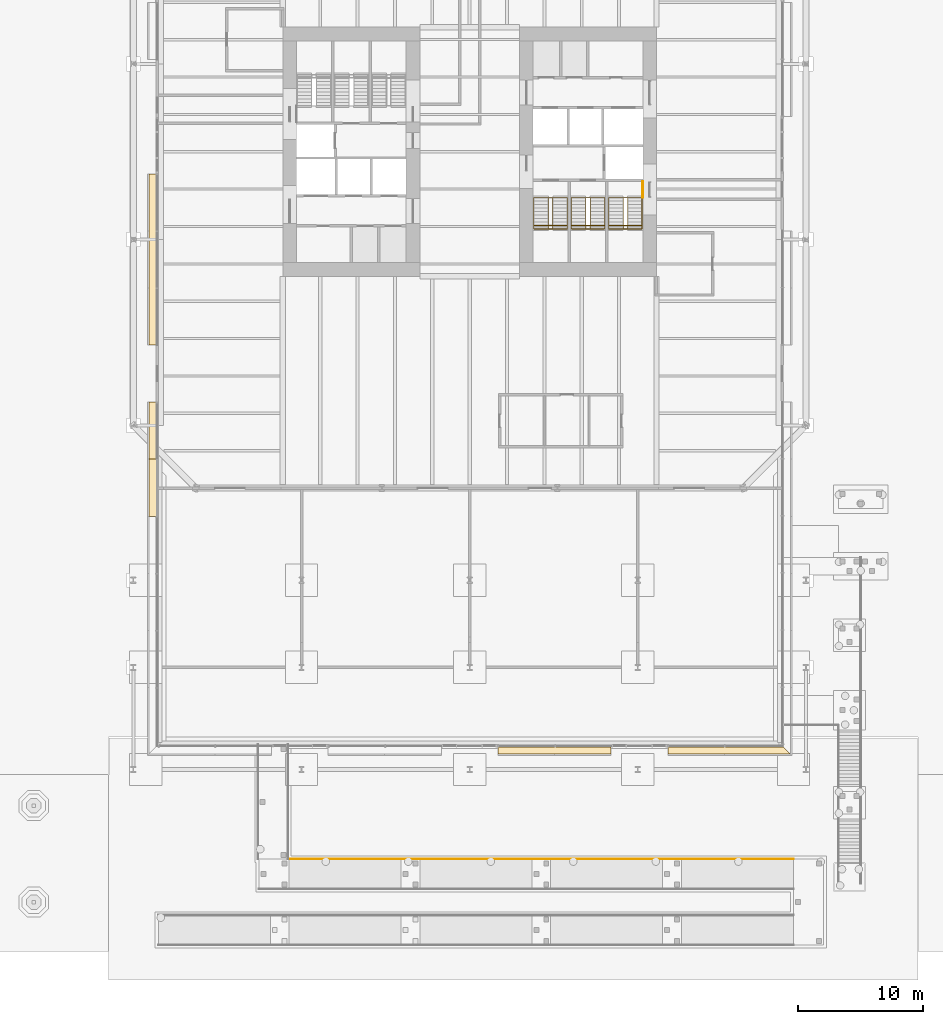
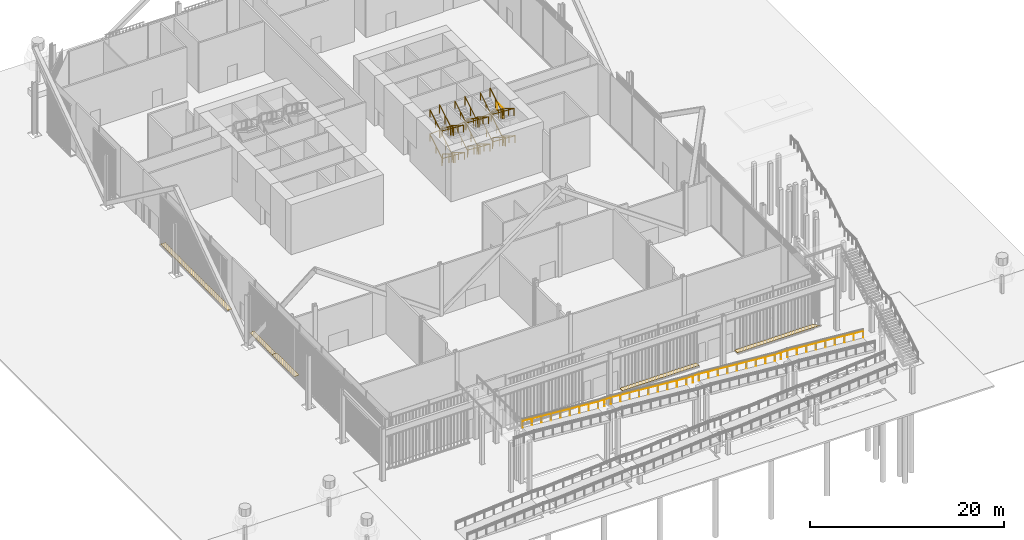
# One storey, part 23 of 28: 8 railings, 5 coverings.
"""IFC4 building model written with IfcOpenShell, lengths in metres."""

from ifc_helpers import new_model, si_unit, direction, frame, origin, origin_2d, place, context, subcontext, project, spatial, polyline, circle, outline, extrude, material, layer, layer_set, type_object, element, save


model = new_model("IFC4")

# Units and contexts
model_context = context("Model", 3, precision=1e-05, world=origin(), true_north=direction((0.0, 1.0)))
body_context = subcontext(model_context, "Body", "Model", "MODEL_VIEW")
ifc_project = project(units=[si_unit("LENGTHUNIT", "METRE"), si_unit("AREAUNIT", "SQUARE_METRE"), si_unit("VOLUMEUNIT", "CUBIC_METRE"), si_unit("PLANEANGLEUNIT", "RADIAN"), si_unit("MASSUNIT", "GRAM", prefix="KILO")], contexts=[model_context])

# Site, building, storey
site_placement = place(None, origin())
site = spatial("IfcSite", under=ifc_project, at=site_placement, CompositionType="ELEMENT")
building_placement = place(site_placement, origin())
building = spatial("IfcBuilding", under=site, at=building_placement, Name="Millrace Tower", CompositionType="ELEMENT")
storey_placement = place(building_placement, origin())
storey = spatial("IfcBuildingStorey", under=building, at=storey_placement, Name="L01", CompositionType="ELEMENT", Elevation=0.0)

# Coverings
ifc_material_1 = material(Name="Steel ASTM A36", Category="steel")
ifc_layer = layer(ifc_material_1, 0.050048828125)
ifc_layer_set = layer_set([ifc_layer], Name="Steel ASTM A36")
covering_type = type_object("IfcCoveringType", Name="CAVITY CATWALK steel grating", PredefinedType="FLOORING", material=ifc_layer_set)
placement = place(storey_placement, frame((0.0, 0.0, 0.10009765625)))
element("IfcCovering", 1, at=placement, inside=storey, type_object=covering_type, Name="Cavity catwalk grating AW1-F01 L01 3", PredefinedType="FLOORING", context=body_context, shape_type="SweptSolid", body=[
    extrude(outline(polyline([(2.272705078125, -48.35009765625), (11.363525390625, -48.35009765625), (11.363525390625, -47.800048828125), (2.272705078125, -47.800048828125), (2.272705078125, -48.35009765625)])), origin(), (0.0, 0.0, 1.0), 0.0498046875),
])
element("IfcCovering", 2, at=placement, inside=storey, type_object=covering_type, Name="Cavity catwalk grating AW1-F01 L01 4", PredefinedType="FLOORING", context=body_context, shape_type="SweptSolid", body=[
    extrude(outline(polyline([(15.9091796875, -48.35009765625), (25.75, -48.35009765625), (25.199951171875, -47.800048828125), (15.9091796875, -47.800048828125), (15.9091796875, -48.35009765625)])), origin(), (0.0, 0.0, 1.0), 0.0498046875),
])
element("IfcCovering", 3, at=placement, inside=storey, type_object=covering_type, Name="Cavity catwalk grating AW1-F06 L01 3", PredefinedType="FLOORING", context=body_context, shape_type="SweptSolid", body=[
    extrude(outline(polyline([(-25.75, -1.7666015625), (-25.75, -15.5166015625), (-25.199951171875, -15.5166015625), (-25.199951171875, -1.7666015625), (-25.75, -1.7666015625)])), origin(), (0.0, 0.0, 1.0), 0.0498046875),
])
element("IfcCovering", 4, at=placement, inside=storey, type_object=covering_type, Name="Cavity catwalk grating AW1-F06 L01 4", PredefinedType="FLOORING", context=body_context, shape_type="SweptSolid", body=[
    extrude(outline(polyline([(-25.75, -20.10009765625), (-25.75, -24.683349609375), (-25.199951171875, -24.683349609375), (-25.199951171875, -20.10009765625), (-25.75, -20.10009765625)])), origin(), (0.0, 0.0, 1.0), 0.0498046875),
])
element("IfcCovering", 5, at=placement, inside=storey, type_object=covering_type, Name="Cavity catwalk grating AW1-F06 L01 5", PredefinedType="FLOORING", context=body_context, shape_type="SweptSolid", body=[
    extrude(outline(polyline([(-25.75, -24.683349609375), (-25.75, -29.2666015625), (-25.14990234375, -29.2666015625), (-25.14990234375, -24.683349609375), (-25.75, -24.683349609375)])), origin(), (0.0, 0.0, 1.0), 0.0498046875),
])

# Railings
ifc_material_2 = material(Name="Stainless steel ASTM A240 type 316", Category="steel")
railing_type_1 = type_object("IfcRailingType", Name="Ramp handrail 900", PredefinedType="HANDRAIL", material=ifc_material_2)
railing_1_placement = place(storey_placement, frame((26.0, -56.800048828125, 3.611083984375)))
element("IfcRailing", 6, at=railing_1_placement, inside=storey, type_object=railing_type_1, Name="Ramp handrail row B N", PredefinedType="HANDRAIL", context=body_context, shape_type="SweptSolid", body=[
    extrude(circle(Radius=0.02392578125, at=origin_2d()), frame((0.0, 0.0, 0.8759765625), z_axis=(-0.996796163047, 0.0, 0.079983806703), x_axis=(0.0, -1.0, 0.0)), (0.0, 0.0, 1.0), 9.02880859375),
    extrude(circle(Radius=0.02392578125, at=origin_2d()), frame((-9.0, 0.0, 1.59814453125), z_axis=(-1.0, 0.0, 0.0), x_axis=(0.0, -1.0, 0.0)), (0.0, 0.0, 1.0), 1.5),
    extrude(circle(Radius=0.02392578125, at=origin_2d()), frame((-10.5, 0.0, 1.59814453125), z_axis=(-0.99679400687, 0.0, 0.080010673457), x_axis=(0.0, -1.0, 0.0)), (0.0, 0.0, 1.0), 9.029052734375),
    extrude(circle(Radius=0.02392578125, at=origin_2d()), frame((-19.5, 0.0, 2.3203125), z_axis=(-1.0, 0.0, 0.0), x_axis=(0.0, -1.0, 0.0)), (0.0, 0.0, 1.0), 1.5),
    extrude(circle(Radius=0.02392578125, at=origin_2d()), frame((-21.0, 0.0, 2.3203125), z_axis=(-0.996796163047, 0.0, 0.079983806703), x_axis=(0.0, -1.0, 0.0)), (0.0, 0.0, 1.0), 9.02880859375),
    extrude(circle(Radius=0.02392578125, at=origin_2d()), frame((-30.0, 0.0, 3.04248046875), z_axis=(-1.0, 0.0, 0.0), x_axis=(0.0, -1.0, 0.0)), (0.0, 0.0, 1.0), 1.5),
    extrude(circle(Radius=0.02392578125, at=origin_2d()), frame((-31.5, 0.0, 3.04248046875), z_axis=(-0.996796163047, 0.0, 0.079983806703), x_axis=(0.0, -1.0, 0.0)), (0.0, 0.0, 1.0), 9.02880859375),
    extrude(circle(Radius=0.02099609375, at=origin_2d()), origin(), (0.0, 0.0, 1.0), 0.851806640625),
    extrude(circle(Radius=0.02099609375, at=origin_2d()), frame((-1.125, 0.0, 0.09033203125)), (0.0, 0.0, 1.0), 0.851806640625),
    extrude(circle(Radius=0.02099609375, at=origin_2d()), frame((-2.25, 0.0, 0.1806640625)), (0.0, 0.0, 1.0), 0.851806640625),
    extrude(circle(Radius=0.02099609375, at=origin_2d()), frame((-3.375, 0.0, 0.270751953125)), (0.0, 0.0, 1.0), 0.851806640625),
    extrude(circle(Radius=0.02099609375, at=origin_2d()), frame((-4.5, 0.0, 0.361083984375)), (0.0, 0.0, 1.0), 0.851806640625),
    extrude(circle(Radius=0.02099609375, at=origin_2d()), frame((-5.625, 0.0, 0.451416015625)), (0.0, 0.0, 1.0), 0.851806640625),
    extrude(circle(Radius=0.02099609375, at=origin_2d()), frame((-6.75, 0.0, 0.54150390625)), (0.0, 0.0, 1.0), 0.851806640625),
    extrude(circle(Radius=0.02099609375, at=origin_2d()), frame((-7.875, 0.0, 0.6318359375)), (0.0, 0.0, 1.0), 0.851806640625),
    extrude(circle(Radius=0.02099609375, at=origin_2d()), frame((-9.0, 0.0, 0.72216796875)), (0.0, 0.0, 1.0), 0.851806640625),
    extrude(circle(Radius=0.02099609375, at=origin_2d()), frame((-9.75, 0.0, 0.72216796875)), (0.0, 0.0, 1.0), 0.851806640625),
    extrude(circle(Radius=0.02099609375, at=origin_2d()), frame((-10.5, 0.0, 0.72216796875)), (0.0, 0.0, 1.0), 0.851806640625),
    extrude(circle(Radius=0.02099609375, at=origin_2d()), frame((-11.625, 0.0, 0.8125)), (0.0, 0.0, 1.0), 0.851806640625),
    extrude(circle(Radius=0.02099609375, at=origin_2d()), frame((-12.75, 0.0, 0.90283203125)), (0.0, 0.0, 1.0), 0.851806640625),
    extrude(circle(Radius=0.02099609375, at=origin_2d()), frame((-13.875, 0.0, 0.9931640625)), (0.0, 0.0, 1.0), 0.851806640625),
    extrude(circle(Radius=0.02099609375, at=origin_2d()), frame((-15.0, 0.0, 1.08349609375)), (0.0, 0.0, 1.0), 0.851806640625),
    extrude(circle(Radius=0.02099609375, at=origin_2d()), frame((-16.125, 0.0, 1.173583984375)), (0.0, 0.0, 1.0), 0.851806640625),
    extrude(circle(Radius=0.02099609375, at=origin_2d()), frame((-17.25, 0.0, 1.263916015625)), (0.0, 0.0, 1.0), 0.851806640625),
    extrude(circle(Radius=0.02099609375, at=origin_2d()), frame((-18.375, 0.0, 1.354248046875)), (0.0, 0.0, 1.0), 0.851806640625),
    extrude(circle(Radius=0.02099609375, at=origin_2d()), frame((-19.5, 0.0, 1.444580078125)), (0.0, 0.0, 1.0), 0.851806640625),
    extrude(circle(Radius=0.02099609375, at=origin_2d()), frame((-20.25, 0.0, 1.444580078125)), (0.0, 0.0, 1.0), 0.851806640625),
    extrude(circle(Radius=0.02099609375, at=origin_2d()), frame((-21.0, 0.0, 1.444580078125)), (0.0, 0.0, 1.0), 0.851806640625),
    extrude(circle(Radius=0.02099609375, at=origin_2d()), frame((-22.125, 0.0, 1.534912109375)), (0.0, 0.0, 1.0), 0.851806640625),
    extrude(circle(Radius=0.02099609375, at=origin_2d()), frame((-23.25, 0.0, 1.625)), (0.0, 0.0, 1.0), 0.851806640625),
    extrude(circle(Radius=0.02099609375, at=origin_2d()), frame((-24.375, 0.0, 1.71533203125)), (0.0, 0.0, 1.0), 0.851806640625),
    extrude(circle(Radius=0.02099609375, at=origin_2d()), frame((-25.5, 0.0, 1.8056640625)), (0.0, 0.0, 1.0), 0.851806640625),
    extrude(circle(Radius=0.02099609375, at=origin_2d()), frame((-26.625, 0.0, 1.89599609375)), (0.0, 0.0, 1.0), 0.851806640625),
    extrude(circle(Radius=0.02099609375, at=origin_2d()), frame((-27.75, 0.0, 1.986328125)), (0.0, 0.0, 1.0), 0.851806640625),
    extrude(circle(Radius=0.02099609375, at=origin_2d()), frame((-28.875, 0.0, 2.076416015625)), (0.0, 0.0, 1.0), 0.851806640625),
    extrude(circle(Radius=0.02099609375, at=origin_2d()), frame((-30.0, 0.0, 2.166748046875)), (0.0, 0.0, 1.0), 0.851806640625),
    extrude(circle(Radius=0.02099609375, at=origin_2d()), frame((-30.75, 0.0, 2.166748046875)), (0.0, 0.0, 1.0), 0.851806640625),
    extrude(circle(Radius=0.02099609375, at=origin_2d()), frame((-31.5, 0.0, 2.166748046875)), (0.0, 0.0, 1.0), 0.851806640625),
    extrude(circle(Radius=0.02099609375, at=origin_2d()), frame((-32.625, 0.0, 2.257080078125)), (0.0, 0.0, 1.0), 0.851806640625),
    extrude(circle(Radius=0.02099609375, at=origin_2d()), frame((-33.75, 0.0, 2.34716796875)), (0.0, 0.0, 1.0), 0.851806640625),
    extrude(circle(Radius=0.02099609375, at=origin_2d()), frame((-34.875, 0.0, 2.4375)), (0.0, 0.0, 1.0), 0.851806640625),
    extrude(circle(Radius=0.02099609375, at=origin_2d()), frame((-36.0, 0.0, 2.52783203125)), (0.0, 0.0, 1.0), 0.851806640625),
    extrude(circle(Radius=0.02099609375, at=origin_2d()), frame((-37.125, 0.0, 2.6181640625)), (0.0, 0.0, 1.0), 0.851806640625),
    extrude(circle(Radius=0.02099609375, at=origin_2d()), frame((-38.25, 0.0, 2.70849609375)), (0.0, 0.0, 1.0), 0.851806640625),
    extrude(circle(Radius=0.02099609375, at=origin_2d()), frame((-39.375, 0.0, 2.798583984375)), (0.0, 0.0, 1.0), 0.851806640625),
    extrude(circle(Radius=0.02099609375, at=origin_2d()), frame((-40.5, 0.0, 2.888916015625)), (0.0, 0.0, 1.0), 0.851806640625),
])
ifc_material_3 = material(Name="Stainless steel ASTM A240 type 316", Category="steel")
railing_type_2 = type_object("IfcRailingType", Name="Stair guard 1100", PredefinedType="GUARDRAIL", material=ifc_material_3)
railing_2_placement = place(storey_placement, frame((12.679931640625, -3.679931640625, 0.171142578125)))
element("IfcRailing", 7, at=railing_2_placement, inside=storey, type_object=railing_type_2, Name="Stair guard 1 E L01", PredefinedType="GUARDRAIL", context=body_context, shape_type="SweptSolid", body=[
    extrude(circle(Radius=0.02392578125, at=origin_2d()), frame((0.0, 0.0, 1.076171875), z_axis=(0.0, -0.853388087904, 0.521276099034), x_axis=(1.0, 0.0, 0.0)), (0.0, 0.0, 1.0), 2.952880859375),
    extrude(circle(Radius=0.02392578125, at=origin_2d()), frame((0.0, -2.52001953125, 2.615234375), z_axis=(-0.903075576361, 0.0, 0.42948166827), x_axis=(0.0, -1.0, 0.0)), (0.0, 0.0, 1.0), 0.3984375),
    extrude(circle(Radius=0.02392578125, at=origin_2d()), frame((-0.35986328125, -2.52001953125, 2.78662109375), z_axis=(0.0, 0.853351308602, 0.521336306147), x_axis=(-1.0, 0.0, 0.0)), (0.0, 0.0, 1.0), 2.953125),
    extrude(circle(Radius=0.02392578125, at=origin_2d()), frame((-0.35986328125, 0.0, 4.326171875), z_axis=(0.903313127325, 0.0, 0.428981810806), x_axis=(0.0, 1.0, 0.0)), (0.0, 0.0, 1.0), 0.3984375),
    extrude(circle(Radius=0.02392578125, at=origin_2d()), frame((0.0, 0.0, 4.4970703125), z_axis=(0.0, -0.853362292397, 0.521318326854), x_axis=(1.0, 0.0, 0.0)), (0.0, 0.0, 1.0), 2.625),
    extrude(circle(Radius=0.02392578125, at=origin_2d()), frame((0.0, -2.239990234375, 5.865234375), z_axis=(-0.903075576361, 0.0, 0.42948166827), x_axis=(0.0, -1.0, 0.0)), (0.0, 0.0, 1.0), 0.3984375),
    extrude(circle(Radius=0.02392578125, at=origin_2d()), frame((-0.35986328125, -2.239990234375, 6.03662109375), z_axis=(0.0, 0.853362292397, 0.521318326854), x_axis=(-1.0, 0.0, 0.0)), (0.0, 0.0, 1.0), 2.625),
    extrude(circle(Radius=0.02099609375, at=origin_2d()), origin(), (0.0, 0.0, 1.0), 1.052001953125),
    extrude(circle(Radius=0.02099609375, at=origin_2d()), frame((0.0, -1.260009765625, 0.76953125)), (0.0, 0.0, 1.0), 1.052001953125),
    extrude(circle(Radius=0.02099609375, at=origin_2d()), frame((0.0, -2.52001953125, 1.539306640625)), (0.0, 0.0, 1.0), 1.052001953125),
    extrude(circle(Radius=0.02099609375, at=origin_2d()), frame((-0.35986328125, -2.52001953125, 1.71044921875)), (0.0, 0.0, 1.0), 1.052001953125),
    extrude(circle(Radius=0.02099609375, at=origin_2d()), frame((-0.35986328125, -1.260009765625, 2.480224609375)), (0.0, 0.0, 1.0), 1.052001953125),
    extrude(circle(Radius=0.02099609375, at=origin_2d()), frame((-0.35986328125, 0.0, 3.25)), (0.0, 0.0, 1.0), 1.052001953125),
    extrude(circle(Radius=0.02099609375, at=origin_2d()), frame((0.0, 0.0, 3.4208984375)), (0.0, 0.0, 1.0), 1.052001953125),
    extrude(circle(Radius=0.02099609375, at=origin_2d()), frame((0.0, -1.1201171875, 4.10498046875)), (0.0, 0.0, 1.0), 1.052001953125),
    extrude(circle(Radius=0.02099609375, at=origin_2d()), frame((0.0, -2.239990234375, 4.789306640625)), (0.0, 0.0, 1.0), 1.052001953125),
    extrude(circle(Radius=0.02099609375, at=origin_2d()), frame((-0.35986328125, -2.239990234375, 4.96044921875)), (0.0, 0.0, 1.0), 1.052001953125),
    extrude(circle(Radius=0.02099609375, at=origin_2d()), frame((-0.35986328125, -1.1201171875, 5.64453125)), (0.0, 0.0, 1.0), 1.052001953125),
    extrude(circle(Radius=0.02099609375, at=origin_2d()), frame((-0.35986328125, 0.0, 6.328857421875)), (0.0, 0.0, 1.0), 1.052001953125),
])
railing_3_placement = place(storey_placement, frame((13.89990234375, -3.679931640625, 3.421142578125)))
element("IfcRailing", 8, at=railing_3_placement, inside=storey, type_object=railing_type_2, Name="Stair door landing guard E L01", PredefinedType="GUARDRAIL", context=body_context, shape_type="SweptSolid", body=[
    extrude(circle(Radius=0.02392578125, at=origin_2d()), frame((0.0, 0.0, 1.076171875), z_axis=(0.0, 1.0, 0.0), x_axis=(-1.0, 0.0, 0.0)), (0.0, 0.0, 1.0), 1.300048828125),
    extrude(circle(Radius=0.02099609375, at=origin_2d()), origin(), (0.0, 0.0, 1.0), 1.052001953125),
    extrude(circle(Radius=0.02099609375, at=origin_2d()), frame((0.0, 1.300048828125, 0.0)), (0.0, 0.0, 1.0), 1.052001953125),
])
railing_4_placement = place(storey_placement, frame((9.679931640625, -3.679931640625, 0.171142578125)))
element("IfcRailing", 9, at=railing_4_placement, inside=storey, type_object=railing_type_2, Name="Stair guard 2 E L01", PredefinedType="GUARDRAIL", context=body_context, shape_type="SweptSolid", body=[
    extrude(circle(Radius=0.02392578125, at=origin_2d()), frame((0.0, 0.0, 1.076171875), z_axis=(0.0, -0.853388087904, 0.521276099034), x_axis=(1.0, 0.0, 0.0)), (0.0, 0.0, 1.0), 2.952880859375),
    extrude(circle(Radius=0.02392578125, at=origin_2d()), frame((0.0, -2.52001953125, 2.615234375), z_axis=(-0.903075576361, 0.0, 0.42948166827), x_axis=(0.0, -1.0, 0.0)), (0.0, 0.0, 1.0), 0.3984375),
    extrude(circle(Radius=0.02392578125, at=origin_2d()), frame((-0.35986328125, -2.52001953125, 2.78662109375), z_axis=(0.0, 0.853351308602, 0.521336306147), x_axis=(-1.0, 0.0, 0.0)), (0.0, 0.0, 1.0), 2.953125),
    extrude(circle(Radius=0.02392578125, at=origin_2d()), frame((-0.35986328125, 0.0, 4.326171875), z_axis=(0.903313127325, 0.0, 0.428981810806), x_axis=(0.0, 1.0, 0.0)), (0.0, 0.0, 1.0), 0.3984375),
    extrude(circle(Radius=0.02392578125, at=origin_2d()), frame((0.0, 0.0, 4.4970703125), z_axis=(0.0, -0.853362292397, 0.521318326854), x_axis=(1.0, 0.0, 0.0)), (0.0, 0.0, 1.0), 2.625),
    extrude(circle(Radius=0.02392578125, at=origin_2d()), frame((0.0, -2.239990234375, 5.865234375), z_axis=(-0.903075576361, 0.0, 0.42948166827), x_axis=(0.0, -1.0, 0.0)), (0.0, 0.0, 1.0), 0.3984375),
    extrude(circle(Radius=0.02392578125, at=origin_2d()), frame((-0.35986328125, -2.239990234375, 6.03662109375), z_axis=(0.0, 0.853362292397, 0.521318326854), x_axis=(-1.0, 0.0, 0.0)), (0.0, 0.0, 1.0), 2.625),
    extrude(circle(Radius=0.02099609375, at=origin_2d()), origin(), (0.0, 0.0, 1.0), 1.052001953125),
    extrude(circle(Radius=0.02099609375, at=origin_2d()), frame((0.0, -1.260009765625, 0.76953125)), (0.0, 0.0, 1.0), 1.052001953125),
    extrude(circle(Radius=0.02099609375, at=origin_2d()), frame((0.0, -2.52001953125, 1.539306640625)), (0.0, 0.0, 1.0), 1.052001953125),
    extrude(circle(Radius=0.02099609375, at=origin_2d()), frame((-0.35986328125, -2.52001953125, 1.71044921875)), (0.0, 0.0, 1.0), 1.052001953125),
    extrude(circle(Radius=0.02099609375, at=origin_2d()), frame((-0.35986328125, -1.260009765625, 2.480224609375)), (0.0, 0.0, 1.0), 1.052001953125),
    extrude(circle(Radius=0.02099609375, at=origin_2d()), frame((-0.35986328125, 0.0, 3.25)), (0.0, 0.0, 1.0), 1.052001953125),
    extrude(circle(Radius=0.02099609375, at=origin_2d()), frame((0.0, 0.0, 3.4208984375)), (0.0, 0.0, 1.0), 1.052001953125),
    extrude(circle(Radius=0.02099609375, at=origin_2d()), frame((0.0, -1.1201171875, 4.10498046875)), (0.0, 0.0, 1.0), 1.052001953125),
    extrude(circle(Radius=0.02099609375, at=origin_2d()), frame((0.0, -2.239990234375, 4.789306640625)), (0.0, 0.0, 1.0), 1.052001953125),
    extrude(circle(Radius=0.02099609375, at=origin_2d()), frame((-0.35986328125, -2.239990234375, 4.96044921875)), (0.0, 0.0, 1.0), 1.052001953125),
    extrude(circle(Radius=0.02099609375, at=origin_2d()), frame((-0.35986328125, -1.1201171875, 5.64453125)), (0.0, 0.0, 1.0), 1.052001953125),
    extrude(circle(Radius=0.02099609375, at=origin_2d()), frame((-0.35986328125, 0.0, 6.328857421875)), (0.0, 0.0, 1.0), 1.052001953125),
])
railing_5_placement = place(storey_placement, frame((6.679931640625, -3.679931640625, 0.171142578125)))
element("IfcRailing", 10, at=railing_5_placement, inside=storey, type_object=railing_type_2, Name="Stair guard 3 E L01", PredefinedType="GUARDRAIL", context=body_context, shape_type="SweptSolid", body=[
    extrude(circle(Radius=0.02392578125, at=origin_2d()), frame((0.0, 0.0, 1.076171875), z_axis=(0.0, -0.853388087904, 0.521276099034), x_axis=(1.0, 0.0, 0.0)), (0.0, 0.0, 1.0), 2.952880859375),
    extrude(circle(Radius=0.02392578125, at=origin_2d()), frame((0.0, -2.52001953125, 2.615234375), z_axis=(-0.903075576361, 0.0, 0.42948166827), x_axis=(0.0, -1.0, 0.0)), (0.0, 0.0, 1.0), 0.3984375),
    extrude(circle(Radius=0.02392578125, at=origin_2d()), frame((-0.35986328125, -2.52001953125, 2.78662109375), z_axis=(0.0, 0.853351308602, 0.521336306147), x_axis=(-1.0, 0.0, 0.0)), (0.0, 0.0, 1.0), 2.953125),
    extrude(circle(Radius=0.02392578125, at=origin_2d()), frame((-0.35986328125, 0.0, 4.326171875), z_axis=(0.903313127325, 0.0, 0.428981810806), x_axis=(0.0, 1.0, 0.0)), (0.0, 0.0, 1.0), 0.3984375),
    extrude(circle(Radius=0.02392578125, at=origin_2d()), frame((0.0, 0.0, 4.4970703125), z_axis=(0.0, -0.853362292397, 0.521318326854), x_axis=(1.0, 0.0, 0.0)), (0.0, 0.0, 1.0), 2.625),
    extrude(circle(Radius=0.02392578125, at=origin_2d()), frame((0.0, -2.239990234375, 5.865234375), z_axis=(-0.903075576361, 0.0, 0.42948166827), x_axis=(0.0, -1.0, 0.0)), (0.0, 0.0, 1.0), 0.3984375),
    extrude(circle(Radius=0.02392578125, at=origin_2d()), frame((-0.35986328125, -2.239990234375, 6.03662109375), z_axis=(0.0, 0.853362292397, 0.521318326854), x_axis=(-1.0, 0.0, 0.0)), (0.0, 0.0, 1.0), 2.625),
    extrude(circle(Radius=0.02099609375, at=origin_2d()), origin(), (0.0, 0.0, 1.0), 1.052001953125),
    extrude(circle(Radius=0.02099609375, at=origin_2d()), frame((0.0, -1.260009765625, 0.76953125)), (0.0, 0.0, 1.0), 1.052001953125),
    extrude(circle(Radius=0.02099609375, at=origin_2d()), frame((0.0, -2.52001953125, 1.539306640625)), (0.0, 0.0, 1.0), 1.052001953125),
    extrude(circle(Radius=0.02099609375, at=origin_2d()), frame((-0.35986328125, -2.52001953125, 1.71044921875)), (0.0, 0.0, 1.0), 1.052001953125),
    extrude(circle(Radius=0.02099609375, at=origin_2d()), frame((-0.35986328125, -1.260009765625, 2.480224609375)), (0.0, 0.0, 1.0), 1.052001953125),
    extrude(circle(Radius=0.02099609375, at=origin_2d()), frame((-0.35986328125, 0.0, 3.25)), (0.0, 0.0, 1.0), 1.052001953125),
    extrude(circle(Radius=0.02099609375, at=origin_2d()), frame((0.0, 0.0, 3.4208984375)), (0.0, 0.0, 1.0), 1.052001953125),
    extrude(circle(Radius=0.02099609375, at=origin_2d()), frame((0.0, -1.1201171875, 4.10498046875)), (0.0, 0.0, 1.0), 1.052001953125),
    extrude(circle(Radius=0.02099609375, at=origin_2d()), frame((0.0, -2.239990234375, 4.789306640625)), (0.0, 0.0, 1.0), 1.052001953125),
    extrude(circle(Radius=0.02099609375, at=origin_2d()), frame((-0.35986328125, -2.239990234375, 4.96044921875)), (0.0, 0.0, 1.0), 1.052001953125),
    extrude(circle(Radius=0.02099609375, at=origin_2d()), frame((-0.35986328125, -1.1201171875, 5.64453125)), (0.0, 0.0, 1.0), 1.052001953125),
    extrude(circle(Radius=0.02099609375, at=origin_2d()), frame((-0.35986328125, 0.0, 6.328857421875)), (0.0, 0.0, 1.0), 1.052001953125),
])
ifc_material_4 = material(Name="Stainless steel ASTM A240 type 316", Category="steel")
railing_type_3 = type_object("IfcRailingType", Name="Stair handrail 900", PredefinedType="HANDRAIL", material=ifc_material_4)
railing_6_placement = place(storey_placement, frame((13.840087890625, -3.679931640625, 0.171142578125)))
element("IfcRailing", 11, at=railing_6_placement, inside=storey, type_object=railing_type_3, Name="Stair handrail 1 E L01", PredefinedType="HANDRAIL", context=body_context, shape_type="SweptSolid", body=[
    extrude(circle(Radius=0.02392578125, at=origin_2d()), frame((0.0, 0.0, 0.8759765625), z_axis=(0.0, -0.853388087904, 0.521276099034), x_axis=(1.0, 0.0, 0.0)), (0.0, 0.0, 1.0), 2.952880859375),
    extrude(circle(Radius=0.02392578125, at=origin_2d()), frame((0.0, -2.52001953125, 2.4150390625), z_axis=(-0.99796748411, 0.0, 0.063725196426), x_axis=(0.0, -1.0, 0.0)), (0.0, 0.0, 1.0), 2.685546875),
    extrude(circle(Radius=0.02392578125, at=origin_2d()), frame((-2.68017578125, -2.52001953125, 2.58642578125), z_axis=(0.0, 0.853351308602, 0.521336306147), x_axis=(-1.0, 0.0, 0.0)), (0.0, 0.0, 1.0), 2.953125),
    extrude(circle(Radius=0.02392578125, at=origin_2d()), frame((-2.68017578125, 0.0, 4.1259765625), z_axis=(0.997973261273, 0.0, 0.063634658671), x_axis=(0.0, 1.0, 0.0)), (0.0, 0.0, 1.0), 2.685546875),
    extrude(circle(Radius=0.02392578125, at=origin_2d()), frame((0.0, 0.0, 4.296875), z_axis=(0.0, -0.853362292397, 0.521318326854), x_axis=(1.0, 0.0, 0.0)), (0.0, 0.0, 1.0), 2.625),
    extrude(circle(Radius=0.02392578125, at=origin_2d()), frame((0.0, -2.239990234375, 5.6650390625), z_axis=(-0.99796748411, 0.0, 0.063725196426), x_axis=(0.0, -1.0, 0.0)), (0.0, 0.0, 1.0), 2.685546875),
    extrude(circle(Radius=0.02392578125, at=origin_2d()), frame((-2.68017578125, -2.239990234375, 5.83642578125), z_axis=(0.0, 0.853362292397, 0.521318326854), x_axis=(-1.0, 0.0, 0.0)), (0.0, 0.0, 1.0), 2.625),
    extrude(circle(Radius=0.02099609375, at=origin_2d()), origin(), (0.0, 0.0, 1.0), 0.851806640625),
    extrude(circle(Radius=0.02099609375, at=origin_2d()), frame((0.0, -1.260009765625, 0.76953125)), (0.0, 0.0, 1.0), 0.851806640625),
    extrude(circle(Radius=0.02099609375, at=origin_2d()), frame((0.0, -2.52001953125, 1.539306640625)), (0.0, 0.0, 1.0), 0.851806640625),
    extrude(circle(Radius=0.02099609375, at=origin_2d()), frame((-1.340087890625, -2.52001953125, 1.625)), (0.0, 0.0, 1.0), 0.851806640625),
    extrude(circle(Radius=0.02099609375, at=origin_2d()), frame((-2.68017578125, -2.52001953125, 1.71044921875)), (0.0, 0.0, 1.0), 0.851806640625),
    extrude(circle(Radius=0.02099609375, at=origin_2d()), frame((-2.68017578125, -1.260009765625, 2.480224609375)), (0.0, 0.0, 1.0), 0.851806640625),
    extrude(circle(Radius=0.02099609375, at=origin_2d()), frame((-2.68017578125, 0.0, 3.25)), (0.0, 0.0, 1.0), 0.851806640625),
    extrude(circle(Radius=0.02099609375, at=origin_2d()), frame((-1.340087890625, 0.0, 3.33544921875)), (0.0, 0.0, 1.0), 0.851806640625),
    extrude(circle(Radius=0.02099609375, at=origin_2d()), frame((0.0, 0.0, 3.4208984375)), (0.0, 0.0, 1.0), 0.851806640625),
    extrude(circle(Radius=0.02099609375, at=origin_2d()), frame((0.0, -1.1201171875, 4.10498046875)), (0.0, 0.0, 1.0), 0.851806640625),
    extrude(circle(Radius=0.02099609375, at=origin_2d()), frame((0.0, -2.239990234375, 4.789306640625)), (0.0, 0.0, 1.0), 0.851806640625),
    extrude(circle(Radius=0.02099609375, at=origin_2d()), frame((-1.340087890625, -2.239990234375, 4.875)), (0.0, 0.0, 1.0), 0.851806640625),
    extrude(circle(Radius=0.02099609375, at=origin_2d()), frame((-2.68017578125, -2.239990234375, 4.96044921875)), (0.0, 0.0, 1.0), 0.851806640625),
    extrude(circle(Radius=0.02099609375, at=origin_2d()), frame((-2.68017578125, -1.1201171875, 5.64453125)), (0.0, 0.0, 1.0), 0.851806640625),
    extrude(circle(Radius=0.02099609375, at=origin_2d()), frame((-2.68017578125, 0.0, 6.328857421875)), (0.0, 0.0, 1.0), 0.851806640625),
])
railing_7_placement = place(storey_placement, frame((10.840087890625, -3.679931640625, 0.171142578125)))
element("IfcRailing", 12, at=railing_7_placement, inside=storey, type_object=railing_type_3, Name="Stair handrail 2 E L01", PredefinedType="HANDRAIL", context=body_context, shape_type="SweptSolid", body=[
    extrude(circle(Radius=0.02392578125, at=origin_2d()), frame((0.0, 0.0, 0.8759765625), z_axis=(0.0, -0.853388087904, 0.521276099034), x_axis=(1.0, 0.0, 0.0)), (0.0, 0.0, 1.0), 2.952880859375),
    extrude(circle(Radius=0.02392578125, at=origin_2d()), frame((0.0, -2.52001953125, 2.4150390625), z_axis=(-0.99796748411, 0.0, 0.063725196426), x_axis=(0.0, -1.0, 0.0)), (0.0, 0.0, 1.0), 2.685546875),
    extrude(circle(Radius=0.02392578125, at=origin_2d()), frame((-2.68017578125, -2.52001953125, 2.58642578125), z_axis=(0.0, 0.853351308602, 0.521336306147), x_axis=(-1.0, 0.0, 0.0)), (0.0, 0.0, 1.0), 2.953125),
    extrude(circle(Radius=0.02392578125, at=origin_2d()), frame((-2.68017578125, 0.0, 4.1259765625), z_axis=(0.997973261273, 0.0, 0.063634658671), x_axis=(0.0, 1.0, 0.0)), (0.0, 0.0, 1.0), 2.685546875),
    extrude(circle(Radius=0.02392578125, at=origin_2d()), frame((0.0, 0.0, 4.296875), z_axis=(0.0, -0.853362292397, 0.521318326854), x_axis=(1.0, 0.0, 0.0)), (0.0, 0.0, 1.0), 2.625),
    extrude(circle(Radius=0.02392578125, at=origin_2d()), frame((0.0, -2.239990234375, 5.6650390625), z_axis=(-0.99796748411, 0.0, 0.063725196426), x_axis=(0.0, -1.0, 0.0)), (0.0, 0.0, 1.0), 2.685546875),
    extrude(circle(Radius=0.02392578125, at=origin_2d()), frame((-2.68017578125, -2.239990234375, 5.83642578125), z_axis=(0.0, 0.853362292397, 0.521318326854), x_axis=(-1.0, 0.0, 0.0)), (0.0, 0.0, 1.0), 2.625),
    extrude(circle(Radius=0.02099609375, at=origin_2d()), origin(), (0.0, 0.0, 1.0), 0.851806640625),
    extrude(circle(Radius=0.02099609375, at=origin_2d()), frame((0.0, -1.260009765625, 0.76953125)), (0.0, 0.0, 1.0), 0.851806640625),
    extrude(circle(Radius=0.02099609375, at=origin_2d()), frame((0.0, -2.52001953125, 1.539306640625)), (0.0, 0.0, 1.0), 0.851806640625),
    extrude(circle(Radius=0.02099609375, at=origin_2d()), frame((-1.340087890625, -2.52001953125, 1.625)), (0.0, 0.0, 1.0), 0.851806640625),
    extrude(circle(Radius=0.02099609375, at=origin_2d()), frame((-2.68017578125, -2.52001953125, 1.71044921875)), (0.0, 0.0, 1.0), 0.851806640625),
    extrude(circle(Radius=0.02099609375, at=origin_2d()), frame((-2.68017578125, -1.260009765625, 2.480224609375)), (0.0, 0.0, 1.0), 0.851806640625),
    extrude(circle(Radius=0.02099609375, at=origin_2d()), frame((-2.68017578125, 0.0, 3.25)), (0.0, 0.0, 1.0), 0.851806640625),
    extrude(circle(Radius=0.02099609375, at=origin_2d()), frame((-1.340087890625, 0.0, 3.33544921875)), (0.0, 0.0, 1.0), 0.851806640625),
    extrude(circle(Radius=0.02099609375, at=origin_2d()), frame((0.0, 0.0, 3.4208984375)), (0.0, 0.0, 1.0), 0.851806640625),
    extrude(circle(Radius=0.02099609375, at=origin_2d()), frame((0.0, -1.1201171875, 4.10498046875)), (0.0, 0.0, 1.0), 0.851806640625),
    extrude(circle(Radius=0.02099609375, at=origin_2d()), frame((0.0, -2.239990234375, 4.789306640625)), (0.0, 0.0, 1.0), 0.851806640625),
    extrude(circle(Radius=0.02099609375, at=origin_2d()), frame((-1.340087890625, -2.239990234375, 4.875)), (0.0, 0.0, 1.0), 0.851806640625),
    extrude(circle(Radius=0.02099609375, at=origin_2d()), frame((-2.68017578125, -2.239990234375, 4.96044921875)), (0.0, 0.0, 1.0), 0.851806640625),
    extrude(circle(Radius=0.02099609375, at=origin_2d()), frame((-2.68017578125, -1.1201171875, 5.64453125)), (0.0, 0.0, 1.0), 0.851806640625),
    extrude(circle(Radius=0.02099609375, at=origin_2d()), frame((-2.68017578125, 0.0, 6.328857421875)), (0.0, 0.0, 1.0), 0.851806640625),
])
railing_8_placement = place(storey_placement, frame((7.840087890625, -3.679931640625, 0.171142578125)))
element("IfcRailing", 13, at=railing_8_placement, inside=storey, type_object=railing_type_3, Name="Stair handrail 3 E L01", PredefinedType="HANDRAIL", context=body_context, shape_type="SweptSolid", body=[
    extrude(circle(Radius=0.02392578125, at=origin_2d()), frame((0.0, 0.0, 0.8759765625), z_axis=(0.0, -0.853388087904, 0.521276099034), x_axis=(1.0, 0.0, 0.0)), (0.0, 0.0, 1.0), 2.952880859375),
    extrude(circle(Radius=0.02392578125, at=origin_2d()), frame((0.0, -2.52001953125, 2.4150390625), z_axis=(-0.99796748411, 0.0, 0.063725196426), x_axis=(0.0, -1.0, 0.0)), (0.0, 0.0, 1.0), 2.685546875),
    extrude(circle(Radius=0.02392578125, at=origin_2d()), frame((-2.68017578125, -2.52001953125, 2.58642578125), z_axis=(0.0, 0.853351308602, 0.521336306147), x_axis=(-1.0, 0.0, 0.0)), (0.0, 0.0, 1.0), 2.953125),
    extrude(circle(Radius=0.02392578125, at=origin_2d()), frame((-2.68017578125, 0.0, 4.1259765625), z_axis=(0.997973261273, 0.0, 0.063634658671), x_axis=(0.0, 1.0, 0.0)), (0.0, 0.0, 1.0), 2.685546875),
    extrude(circle(Radius=0.02392578125, at=origin_2d()), frame((0.0, 0.0, 4.296875), z_axis=(0.0, -0.853362292397, 0.521318326854), x_axis=(1.0, 0.0, 0.0)), (0.0, 0.0, 1.0), 2.625),
    extrude(circle(Radius=0.02392578125, at=origin_2d()), frame((0.0, -2.239990234375, 5.6650390625), z_axis=(-0.99796748411, 0.0, 0.063725196426), x_axis=(0.0, -1.0, 0.0)), (0.0, 0.0, 1.0), 2.685546875),
    extrude(circle(Radius=0.02392578125, at=origin_2d()), frame((-2.68017578125, -2.239990234375, 5.83642578125), z_axis=(0.0, 0.853362292397, 0.521318326854), x_axis=(-1.0, 0.0, 0.0)), (0.0, 0.0, 1.0), 2.625),
    extrude(circle(Radius=0.02099609375, at=origin_2d()), origin(), (0.0, 0.0, 1.0), 0.851806640625),
    extrude(circle(Radius=0.02099609375, at=origin_2d()), frame((0.0, -1.260009765625, 0.76953125)), (0.0, 0.0, 1.0), 0.851806640625),
    extrude(circle(Radius=0.02099609375, at=origin_2d()), frame((0.0, -2.52001953125, 1.539306640625)), (0.0, 0.0, 1.0), 0.851806640625),
    extrude(circle(Radius=0.02099609375, at=origin_2d()), frame((-1.340087890625, -2.52001953125, 1.625)), (0.0, 0.0, 1.0), 0.851806640625),
    extrude(circle(Radius=0.02099609375, at=origin_2d()), frame((-2.68017578125, -2.52001953125, 1.71044921875)), (0.0, 0.0, 1.0), 0.851806640625),
    extrude(circle(Radius=0.02099609375, at=origin_2d()), frame((-2.68017578125, -1.260009765625, 2.480224609375)), (0.0, 0.0, 1.0), 0.851806640625),
    extrude(circle(Radius=0.02099609375, at=origin_2d()), frame((-2.68017578125, 0.0, 3.25)), (0.0, 0.0, 1.0), 0.851806640625),
    extrude(circle(Radius=0.02099609375, at=origin_2d()), frame((-1.340087890625, 0.0, 3.33544921875)), (0.0, 0.0, 1.0), 0.851806640625),
    extrude(circle(Radius=0.02099609375, at=origin_2d()), frame((0.0, 0.0, 3.4208984375)), (0.0, 0.0, 1.0), 0.851806640625),
    extrude(circle(Radius=0.02099609375, at=origin_2d()), frame((0.0, -1.1201171875, 4.10498046875)), (0.0, 0.0, 1.0), 0.851806640625),
    extrude(circle(Radius=0.02099609375, at=origin_2d()), frame((0.0, -2.239990234375, 4.789306640625)), (0.0, 0.0, 1.0), 0.851806640625),
    extrude(circle(Radius=0.02099609375, at=origin_2d()), frame((-1.340087890625, -2.239990234375, 4.875)), (0.0, 0.0, 1.0), 0.851806640625),
    extrude(circle(Radius=0.02099609375, at=origin_2d()), frame((-2.68017578125, -2.239990234375, 4.96044921875)), (0.0, 0.0, 1.0), 0.851806640625),
    extrude(circle(Radius=0.02099609375, at=origin_2d()), frame((-2.68017578125, -1.1201171875, 5.64453125)), (0.0, 0.0, 1.0), 0.851806640625),
    extrude(circle(Radius=0.02099609375, at=origin_2d()), frame((-2.68017578125, 0.0, 6.328857421875)), (0.0, 0.0, 1.0), 0.851806640625),
])

save(model, "model.ifc")
